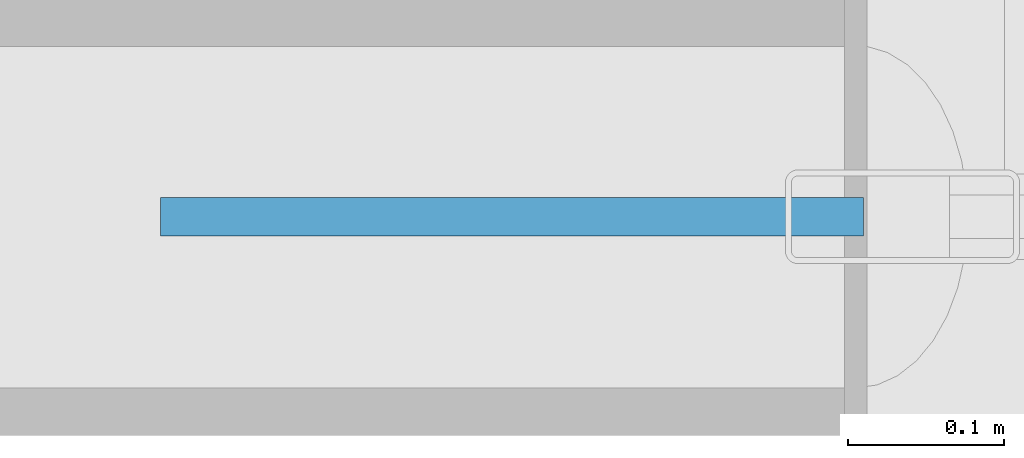
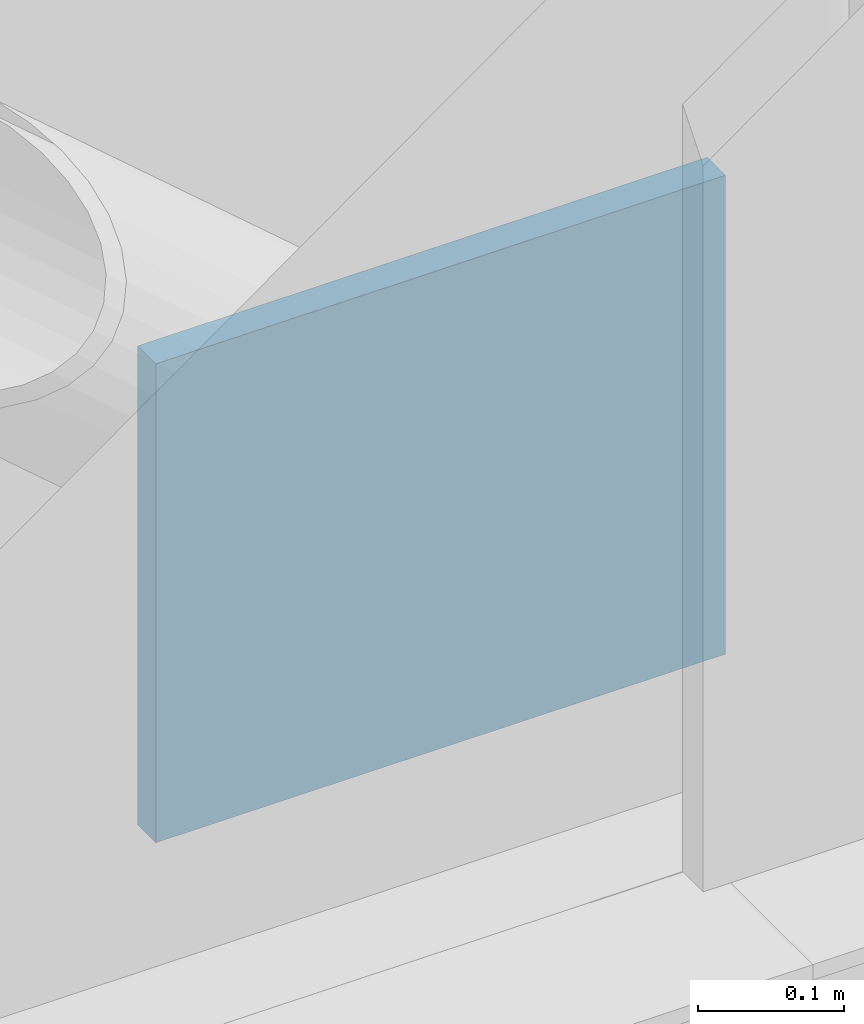
# One storey, part 54 of 65: 1 discrete accessory.
"""IFC4 building model written with IfcOpenShell, lengths in metres."""

from ifc_helpers import new_model, si_unit, direction, frame, origin, origin_2d, place, context, subcontext, project, spatial, rectangle, extrude, material, type_object, element, save


model = new_model("IFC4")

# Units and contexts
model_context = context("Model", 3, precision=1e-05, world=origin(), true_north=direction((0.0, 1.0)))
body_context = subcontext(model_context, "Body", "Model", "MODEL_VIEW")
ifc_project = project(units=[si_unit("LENGTHUNIT", "METRE"), si_unit("AREAUNIT", "SQUARE_METRE"), si_unit("VOLUMEUNIT", "CUBIC_METRE"), si_unit("PLANEANGLEUNIT", "RADIAN"), si_unit("MASSUNIT", "GRAM", prefix="KILO")], contexts=[model_context])

# Site, building, storey
site_placement = place(None, origin())
site = spatial("IfcSite", under=ifc_project, at=site_placement, CompositionType="ELEMENT")
building_placement = place(site_placement, origin())
building = spatial("IfcBuilding", under=site, at=building_placement, Name="Qalvenar Corner Mobility Hub", CompositionType="ELEMENT")
storey_placement = place(building_placement, frame((0.0, 0.0, 17.39990234375)))
storey = spatial("IfcBuildingStorey", under=building, at=storey_placement, Name="L04", CompositionType="ELEMENT", Elevation=17.39990234375)

# Discrete accessory
ifc_material = material(Name="Steel S355", Category="steel")
discrete_accessory_type = type_object("IfcDiscreteAccessoryType", Name="ACC-GUSSET-PLT", PredefinedType="BRACKET", material=ifc_material)
discrete_accessory_placement = place(storey_placement, frame((33.3798828125, 0.0, 0.000244140625), z_axis=(0.0, 0.0, 1.0), x_axis=(1.0, 0.0, 0.0)))
element("IfcDiscreteAccessory", 1, at=discrete_accessory_placement, inside=storey, type_object=discrete_accessory_type, Name="Brace Base Gusset Plate GP-B-015", PredefinedType="BRACKET", context=body_context, shape_type="SweptSolid", body=[
    extrude(rectangle(XDim=0.449951171875, YDim=0.02490234375, at=origin_2d()), origin(), (0.0, 0.0, 1.0), 0.39990234375),
])

save(model, "model.ifc")
